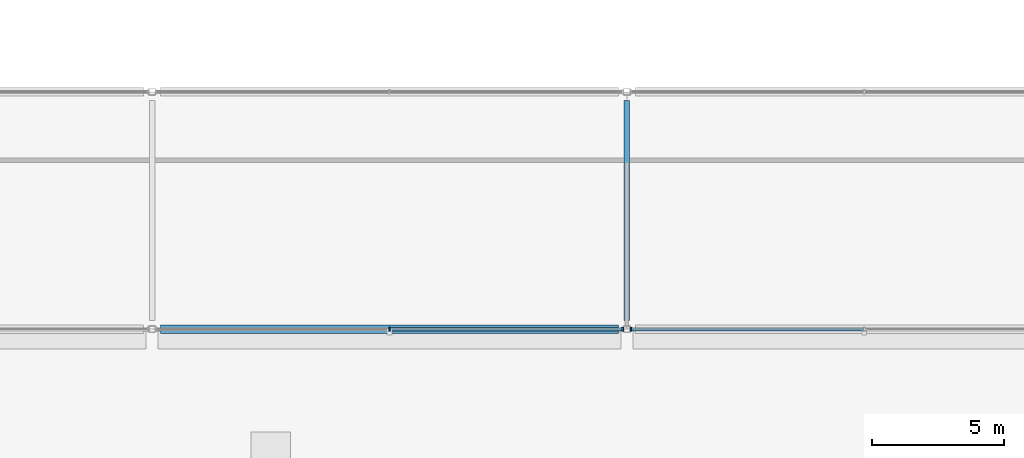
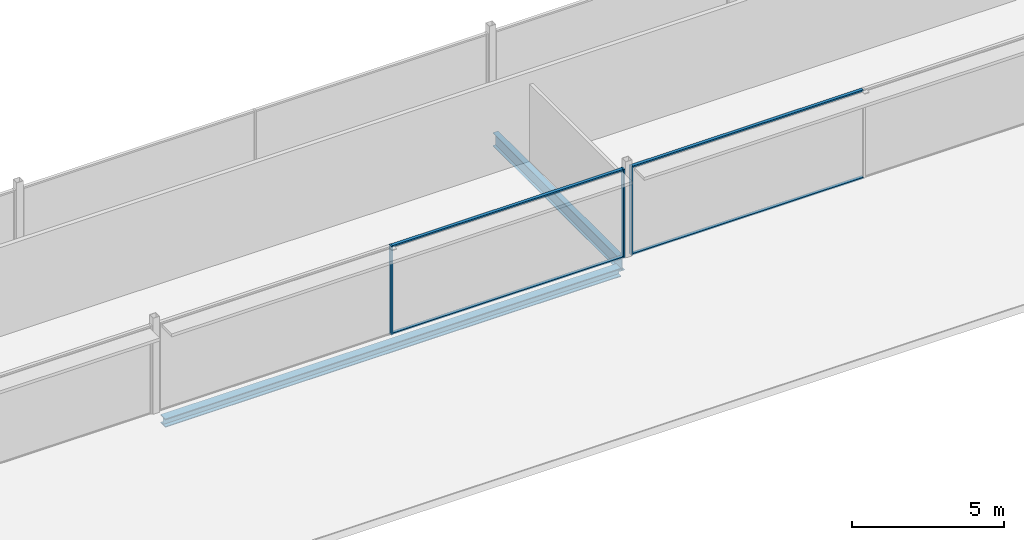
# One storey, part 35 of 105: 7 members, 2 beams, 2 elements without a shape of their own.
"""IFC4 building model written with IfcOpenShell, lengths in metres."""

from ifc_helpers import new_model, si_unit, direction, frame, origin, origin_2d, place, context, subcontext, project, spatial, rectangle, i_section, extrude, material, layer, layer_set, material_profile, profile_set, type_object, element, aggregate, save


model = new_model("IFC4")

# Units and contexts
model_context = context("Model", 3, precision=1e-05, world=origin(), true_north=direction((0.0, 1.0)))
body_context = subcontext(model_context, "Body", "Model", "MODEL_VIEW")
ifc_project = project(units=[si_unit("LENGTHUNIT", "METRE"), si_unit("AREAUNIT", "SQUARE_METRE"), si_unit("VOLUMEUNIT", "CUBIC_METRE"), si_unit("PLANEANGLEUNIT", "RADIAN"), si_unit("MASSUNIT", "GRAM", prefix="KILO")], contexts=[model_context])

# Site, building, storey
site_placement = place(None, origin())
site = spatial("IfcSite", under=ifc_project, at=site_placement, CompositionType="ELEMENT")
building_placement = place(site_placement, origin())
building = spatial("IfcBuilding", under=site, at=building_placement, Name="Kisiwana Market Hall", CompositionType="ELEMENT")
storey_placement = place(building_placement, frame((0.0, 0.0, 21.60009765625)))
storey = spatial("IfcBuildingStorey", under=building, at=storey_placement, Name="L04", CompositionType="ELEMENT", Elevation=21.60009765625)

# Beams
ifc_material_1 = material(Name="Steel S355", Category="steel")
ifc_material_profile_1 = material_profile(ifc_material_1, i_section(OverallWidth=0.209228515625, OverallDepth=0.533203125, WebThickness=0.010009765625, FlangeThickness=0.015625, at=origin_2d()), Name="UB 533x210x92")
ifc_profile_set_1 = profile_set([ifc_material_profile_1], Name="Steel S355")
beam_type_1 = type_object("IfcBeamType", Name="BM-GIRD-UB533", PredefinedType="BEAM", material=ifc_profile_set_1)
beam_1_placement = place(storey_placement, frame((99.0, 93.321044921875, -0.53173828125), z_axis=(0.0, 1.0, 0.0), x_axis=(-1.0, 0.0, 0.0)))
element("IfcBeam", 1, at=beam_1_placement, inside=storey, type_object=beam_type_1, Name="Primary girder B-1364", PredefinedType="BEAM", context=body_context, shape_type="SweptSolid", body=[
    extrude(i_section(OverallWidth=0.209228515625, OverallDepth=0.533203125, WebThickness=0.010009765625, FlangeThickness=0.015625, at=origin_2d()), origin(), (0.0, 0.0, 1.0), 8.35791015625),
])
ifc_material_2 = material(Name="Steel S355", Category="steel")
ifc_material_profile_2 = material_profile(ifc_material_2, i_section(OverallWidth=0.314453125, OverallDepth=0.33984375, WebThickness=0.01904296875, FlangeThickness=0.031494140625, at=origin_2d()), Name="UC 305x305x198")
ifc_profile_set_2 = profile_set([ifc_material_profile_2], Name="Steel S355")
beam_type_2 = type_object("IfcBeamType", Name="BM-SKYBR-CHORD", PredefinedType="BEAM", material=ifc_profile_set_2)
beam_2_placement = place(storey_placement, frame((81.321044921875, 93.0, -0.462158203125), z_axis=(1.0, 0.0, 0.0), x_axis=(0.0, 1.0, 0.0)))
element("IfcBeam", 2, at=beam_2_placement, inside=storey, type_object=beam_type_2, Name="Floor beam B-1463", PredefinedType="BEAM", context=body_context, shape_type="SweptSolid", body=[
    extrude(i_section(OverallWidth=0.314453125, OverallDepth=0.33984375, WebThickness=0.01904296875, FlangeThickness=0.031494140625, at=origin_2d()), origin(), (0.0, 0.0, 1.0), 17.35791015625),
])

# Curtain wall, members
ifc_material_3 = material(Name="Double-glazed solar-control low-E IGU", Category="glass")
ifc_layer = layer(ifc_material_3, 0.159912109375)
ifc_layer_set = layer_set([ifc_layer], Name="CW-ZNA-EW-8200")
curtain_wall_type = type_object("IfcCurtainWallType", Name="CW-ZNA-EW-8200", PredefinedType="USERDEFINED", material=ifc_layer_set)
curtain_wall_1_placement = place(storey_placement, origin())
curtain_wall_1 = element("IfcCurtainWall", 3, at=curtain_wall_1_placement, inside=storey, type_object=curtain_wall_type, Name="Unitised curtain wall CW-106 (L04)", ObjectType="UNITISED CURTAIN WALL", PredefinedType="USERDEFINED")
ifc_material_4 = material(Name="Aluminium alloy 6063-T6", Category="aluminium")
ifc_material_profile_3 = material_profile(ifc_material_4, rectangle(XDim=0.06005859375, YDim=0.159912109375, at=origin_2d()), Name="ALU MULLION 60x160")
ifc_profile_set_3 = profile_set([ifc_material_profile_3], Name="Aluminium alloy 6063-T6")
member_type_1 = type_object("IfcMemberType", Name="CW-MULL-60x160", PredefinedType="MULLION", material=ifc_profile_set_3)
member_1_placement = place(storey_placement, frame((90.0, 93.0, 0.0), z_axis=(0.0, 0.0, 1.0), x_axis=(1.0, 0.0, 0.0)))
member_1 = element("IfcMember", 4, at=member_1_placement, type_object=member_type_1, Name="CW-106 mullion 2", PredefinedType="MULLION", context=body_context, shape_type="SweptSolid", body=[
    extrude(rectangle(XDim=0.06005859375, YDim=0.159912109375, at=origin_2d()), origin(), (0.0, 0.0, 1.0), 3.5849609375),
])
member_2_placement = place(storey_placement, frame((98.844970703125, 93.0, 0.0), z_axis=(0.0, 0.0, 1.0), x_axis=(1.0, 0.0, 0.0)))
member_2 = element("IfcMember", 5, at=member_2_placement, type_object=member_type_1, Name="CW-106 mullion 3", PredefinedType="MULLION", context=body_context, shape_type="SweptSolid", body=[
    extrude(rectangle(XDim=0.06005859375, YDim=0.159912109375, at=origin_2d()), origin(), (0.0, 0.0, 1.0), 3.5849609375),
])

# Curtain wall, member
curtain_wall_2_placement = place(storey_placement, origin())
curtain_wall_2 = element("IfcCurtainWall", 6, at=curtain_wall_2_placement, inside=storey, type_object=curtain_wall_type, Name="Unitised curtain wall CW-107 (L04)", ObjectType="UNITISED CURTAIN WALL", PredefinedType="USERDEFINED")
member_3_placement = place(storey_placement, frame((99.155029296875, 93.0, 0.0), z_axis=(0.0, 0.0, 1.0), x_axis=(1.0, 0.0, 0.0)))
member_3 = element("IfcMember", 7, at=member_3_placement, type_object=member_type_1, Name="CW-107 mullion 1", PredefinedType="MULLION", context=body_context, shape_type="SweptSolid", body=[
    extrude(rectangle(XDim=0.06005859375, YDim=0.159912109375, at=origin_2d()), origin(), (0.0, 0.0, 1.0), 3.5849609375),
])

# Member
ifc_material_5 = material(Name="Aluminium alloy 6063-T6", Category="aluminium")
ifc_material_profile_4 = material_profile(ifc_material_5, rectangle(XDim=0.1201171875, YDim=0.06005859375, at=origin_2d()), Name="ALU TRANSOM 60x120")
ifc_profile_set_4 = profile_set([ifc_material_profile_4], Name="Aluminium alloy 6063-T6")
member_type_2 = type_object("IfcMemberType", Name="CW-TRAN-60x120", PredefinedType="USERDEFINED", material=ifc_profile_set_4)
member_4_placement = place(storey_placement, frame((90.030029296875, 93.0, 0.02978515625), z_axis=(1.0, 0.0, 0.0), x_axis=(0.0, 1.0, 0.0)))
member_4 = element("IfcMember", 8, at=member_4_placement, type_object=member_type_2, Name="CW-106 transom 2.1", ObjectType="TRANSOM", PredefinedType="USERDEFINED", context=body_context, shape_type="SweptSolid", body=[
    extrude(rectangle(XDim=0.1201171875, YDim=0.06005859375, at=origin_2d()), origin(), (0.0, 0.0, 1.0), 8.784912109375),
])

member_5_placement = place(storey_placement, frame((90.030029296875, 93.0, 3.554931640625), z_axis=(1.0, 0.0, 0.0), x_axis=(0.0, 1.0, 0.0)))
member_5 = element("IfcMember", 9, at=member_5_placement, type_object=member_type_2, Name="CW-106 transom 2.2", ObjectType="TRANSOM", PredefinedType="USERDEFINED", context=body_context, shape_type="SweptSolid", body=[
    extrude(rectangle(XDim=0.1201171875, YDim=0.06005859375, at=origin_2d()), origin(), (0.0, 0.0, 1.0), 8.784912109375),
])

aggregate(curtain_wall_1, [member_1, member_2, member_4, member_5])

member_6_placement = place(storey_placement, frame((99.18505859375, 93.0, 0.02978515625), z_axis=(1.0, 0.0, 0.0), x_axis=(0.0, 1.0, 0.0)))
member_6 = element("IfcMember", 10, at=member_6_placement, type_object=member_type_2, Name="CW-107 transom 1.1", ObjectType="TRANSOM", PredefinedType="USERDEFINED", context=body_context, shape_type="SweptSolid", body=[
    extrude(rectangle(XDim=0.1201171875, YDim=0.06005859375, at=origin_2d()), origin(), (0.0, 0.0, 1.0), 8.784912109375),
])

member_7_placement = place(storey_placement, frame((99.18505859375, 93.0, 3.554931640625), z_axis=(1.0, 0.0, 0.0), x_axis=(0.0, 1.0, 0.0)))
member_7 = element("IfcMember", 11, at=member_7_placement, type_object=member_type_2, Name="CW-107 transom 1.2", ObjectType="TRANSOM", PredefinedType="USERDEFINED", context=body_context, shape_type="SweptSolid", body=[
    extrude(rectangle(XDim=0.1201171875, YDim=0.06005859375, at=origin_2d()), origin(), (0.0, 0.0, 1.0), 8.784912109375),
])

aggregate(curtain_wall_2, [member_3, member_6, member_7])

save(model, "model.ifc")
